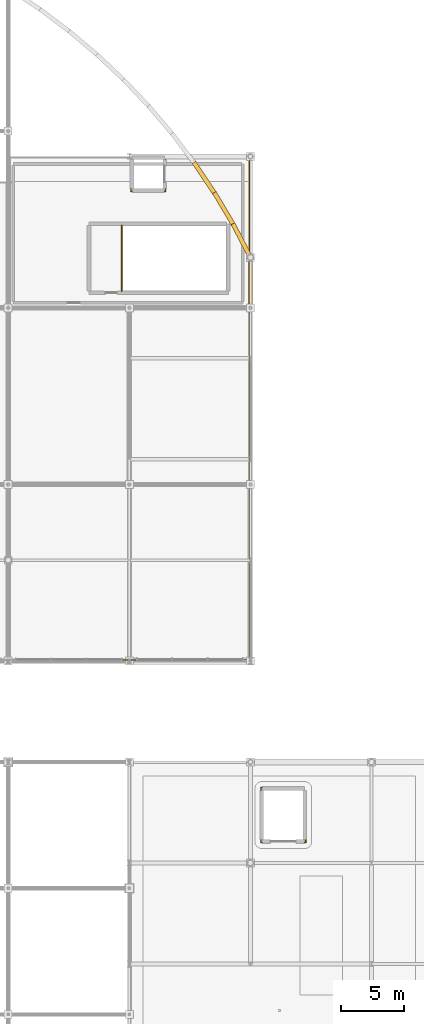
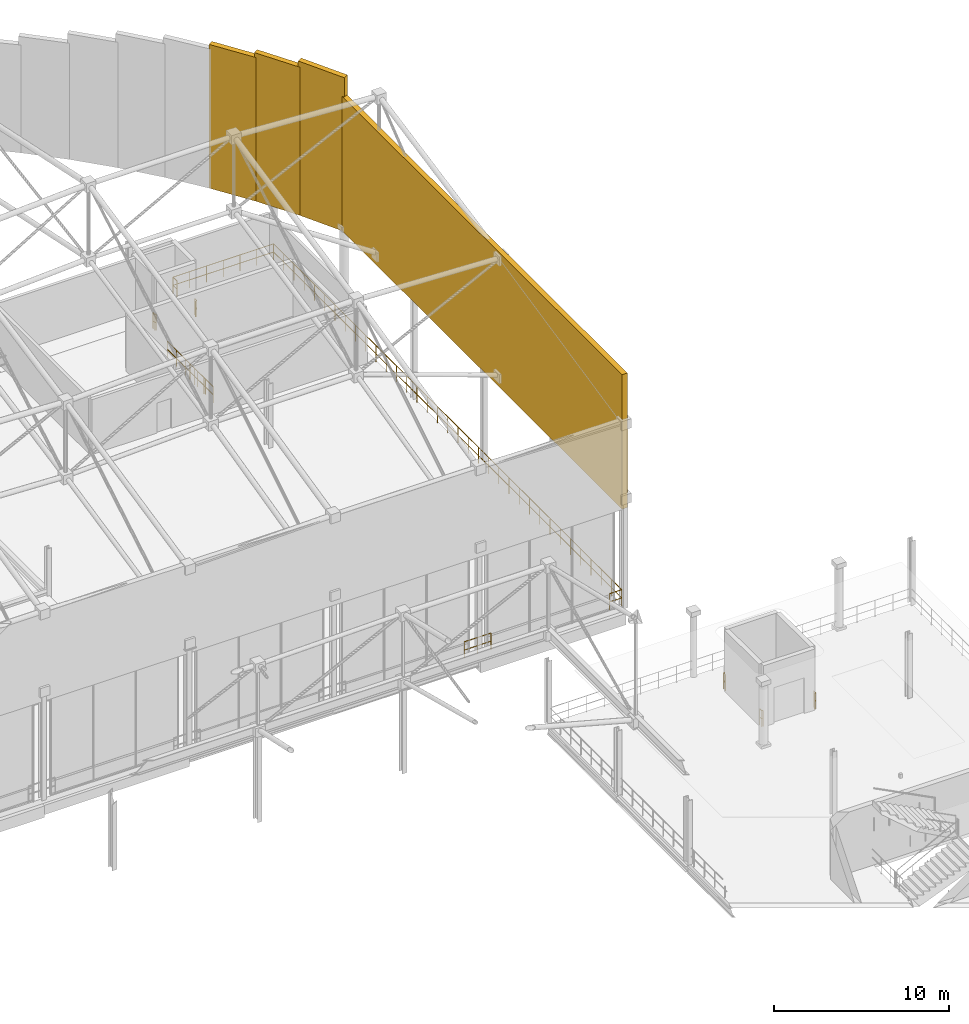
# One storey, part 190 of 193: 9 railings, 4 coverings.
"""IFC4 building model written with IfcOpenShell, lengths in metres."""

import ifcopenshell
import ifcopenshell.guid

model = None  # the IFC model being written
_history = None  # IfcOwnerHistory: only IFC2X3 demands one
_inside = {}  # id of a spatial element -> (the spatial element, [elements in it])
_under = {}  # id of a project, library or spatial element -> (it, [spatial elements below it])
_declared = {}  # id of a project -> (the project, [libraries it declares])
_typed = {}  # id of a type object -> (the type object, [elements of that type])
_made_of = {}  # id of a material, layer set ... -> (it, [elements and type objects made of it])


def new_model(schema):
    """Start an empty IFC model of exactly this schema.

    Asked for "IFC4X3", IfcOpenShell would pick the latest addendum, in which some entities
    have other attributes; the version numbers below select the first issue.
    IFC2X3 requires an IfcOwnerHistory on every rooted entity: one is made here for all.
    """
    global model, _history
    if schema == "IFC4X3":
        model = ifcopenshell.file(schema_version=(4, 3, 0, 0))
    else:
        model = ifcopenshell.file(schema=schema)
    _inside.clear()
    _under.clear()
    _declared.clear()
    _typed.clear()
    _made_of.clear()
    _history = None
    if model.schema == "IFC2X3":
        org = make("IfcOrganization", Name="unknown")
        user = make(
            "IfcPersonAndOrganization",
            ThePerson=make("IfcPerson", FamilyName="unknown"),
            TheOrganization=org,
        )
        app = make(
            "IfcApplication",
            ApplicationDeveloper=org,
            Version="unknown",
            ApplicationFullName="unknown",
            ApplicationIdentifier="unknown",
        )
        _history = make(
            "IfcOwnerHistory",
            OwningUser=user,
            OwningApplication=app,
            ChangeAction="ADDED",
            CreationDate=0,
        )
    return model


def make(cls, **values):
    """One entity of the class cls with the attributes given. An attribute that is None is left unset."""
    return model.create_entity(
        cls, **{name: value for name, value in values.items() if value is not None}
    )


def rooted(cls, **values):
    """An entity with a GlobalId (a new one), such as an element, a storey or a relation."""
    return make(cls, GlobalId=ifcopenshell.guid.new(), OwnerHistory=_history, **values)


def si_unit(unit_type, name, prefix=None):
    """IfcSIUnit, for example si_unit("LENGTHUNIT", "METRE", prefix="MILLI")."""
    return make("IfcSIUnit", UnitType=unit_type, Prefix=prefix, Name=name)


def assignment(units):
    """IfcUnitAssignment: the units of a project."""
    return None if units is None else make("IfcUnitAssignment", Units=units)


def point(xyz):
    """IfcCartesianPoint."""
    return None if xyz is None else make("IfcCartesianPoint", Coordinates=xyz)


def direction(xyz):
    """IfcDirection."""
    return None if xyz is None else make("IfcDirection", DirectionRatios=xyz)


def frame(location, z_axis=None, x_axis=None):
    """IfcAxis2Placement3D, a coordinate frame: its origin and axes. An axis left out is left unset."""
    return make(
        "IfcAxis2Placement3D",
        Location=point(location),
        Axis=direction(z_axis),
        RefDirection=direction(x_axis),
    )


def frame_2d(location, x_axis=None):
    """IfcAxis2Placement2D, a coordinate frame in the plane: its origin and x axis."""
    return make(
        "IfcAxis2Placement2D", Location=point(location), RefDirection=direction(x_axis)
    )


def origin():
    """The frame at (0, 0, 0) with its axes left unset."""
    return frame((0.0, 0.0, 0.0))


def origin_2d():
    """The frame at (0, 0) in the plane with its x axis left unset."""
    return frame_2d((0.0, 0.0))


def place(relative_to, where):
    """IfcLocalPlacement: puts the frame where relative to a parent placement (None: the world)."""
    return make(
        "IfcLocalPlacement", PlacementRelTo=relative_to, RelativePlacement=where
    )


def context(
    kind, dimensions, precision=None, world=None, true_north=None, identifier=None
):
    """IfcGeometricRepresentationContext, for example the 3D "Model" context."""
    return make(
        "IfcGeometricRepresentationContext",
        ContextIdentifier=identifier,
        ContextType=kind,
        CoordinateSpaceDimension=dimensions,
        Precision=precision,
        WorldCoordinateSystem=world,
        TrueNorth=true_north,
    )


def subcontext(parent, identifier, kind, view, scale=None):
    """IfcGeometricRepresentationSubContext, for example "Body" below "Model"."""
    return make(
        "IfcGeometricRepresentationSubContext",
        ContextIdentifier=identifier,
        ContextType=kind,
        ParentContext=parent,
        TargetScale=scale,
        TargetView=view,
    )


def project(units=None, contexts=None):
    """IfcProject with its units and contexts."""
    return rooted(
        "IfcProject",
        Name="project",
        RepresentationContexts=contexts,
        UnitsInContext=assignment(units),
    )


def spatial(cls, under=None, at=None, **own):
    """A site, building, storey or space (cls), placed at a placement, below another one or the project."""
    s = rooted(cls, ObjectPlacement=at, **own)
    if under is not None:
        _under.setdefault(under.id(), (under, []))[1].append(s)
    return s


def profile(cls, at=None, kind="AREA", **sizes):
    """A parametric profile (cls). Its sizes go by their IFC names, for example OverallWidth=200.0."""
    return make(cls, ProfileType=kind, Position=at, **sizes)


def rectangle(**sizes):
    """IfcRectangleProfileDef."""
    return profile("IfcRectangleProfileDef", **sizes)


def circle(**sizes):
    """IfcCircleProfileDef."""
    return profile("IfcCircleProfileDef", **sizes)


def extrude(swept, where, along, depth):
    """IfcExtrudedAreaSolid: the profile swept, set in the frame where, extruded along a direction by depth."""
    return make(
        "IfcExtrudedAreaSolid",
        SweptArea=swept,
        Position=where,
        ExtrudedDirection=direction(along),
        Depth=depth,
    )


def shape(context_of_items, identifier, shape_type, items):
    """IfcShapeRepresentation: the items that make up one representation, for example the "Body"."""
    return make(
        "IfcShapeRepresentation",
        ContextOfItems=context_of_items,
        RepresentationIdentifier=identifier,
        RepresentationType=shape_type,
        Items=items,
    )


def material(Name=None, Category=None):
    """IfcMaterial."""
    return make("IfcMaterial", Name=Name, Category=Category)


def layer(
    of_material, thickness, ventilated=None, Name=None, Category=None, Priority=None
):
    """IfcMaterialLayer: one layer of a wall or slab, of a material (None: an air gap)."""
    return make(
        "IfcMaterialLayer",
        Material=of_material,
        LayerThickness=thickness,
        IsVentilated=ventilated,
        Name=Name,
        Category=Category,
        Priority=Priority,
    )


def layer_set(layers, Name=None):
    """IfcMaterialLayerSet."""
    return make("IfcMaterialLayerSet", MaterialLayers=layers, LayerSetName=Name)


def made_of(thing, what):
    """Note that an element or type object is made of a material, layer set ...; save() writes the relation."""
    if what is not None:
        _made_of.setdefault(what.id(), (what, []))[1].append(thing)
    return thing


def type_object(cls, material=None, **own):
    """A type object (cls), such as IfcWallType, which elements share."""
    return made_of(rooted(cls, **own), material)


def element(
    cls,
    number,
    at=None,
    inside=None,
    cuts=None,
    type_object=None,
    material=None,
    context=None,
    identifier="Body",
    shape_type=None,
    held_by="IfcProductDefinitionShape",
    body=None,
    shapes=None,
    **own,
):
    """One element of the class cls, such as IfcWall. Its Tag is "e" and its number.

    at: its placement. inside: the storey or other place that contains it. cuts: it is an
    opening in that element (IfcRelVoidsElement). A single representation is given by context,
    identifier, shape_type and body (its items); several are given by shapes. held_by: the class
    of the entity that holds the representations. save() writes the other relations.
    """
    e = rooted(cls, Tag="e%d" % number, ObjectPlacement=at, **own)
    if body is not None:
        shapes = [shape(context, identifier, shape_type, body)]
    if shapes is not None:
        e.Representation = make(held_by, Representations=shapes)
    if inside is not None:
        _inside.setdefault(inside.id(), (inside, []))[1].append(e)
    if cuts is not None:
        rooted(
            "IfcRelVoidsElement", RelatingBuildingElement=cuts, RelatedOpeningElement=e
        )
    if type_object is not None:
        _typed.setdefault(type_object.id(), (type_object, []))[1].append(e)
    return made_of(e, material)


def aggregate(whole, parts):
    """IfcRelAggregates: a whole, such as a stair, and the parts it consists of."""
    return rooted("IfcRelAggregates", RelatingObject=whole, RelatedObjects=parts)


def save(model, path):
    """Write the relations noted so far, then the file.

    IfcRelAggregates (storeys below a building ...), IfcRelContainedInSpatialStructure (elements
    in a storey), IfcRelDefinesByType, IfcRelAssociatesMaterial and IfcRelDeclares: one each for
    every whole, place, type object, material and project.
    """
    for whole, parts in _under.values():
        aggregate(whole, parts)
    for where, things in _inside.values():
        rooted(
            "IfcRelContainedInSpatialStructure",
            RelatedElements=things,
            RelatingStructure=where,
        )
    for kind, things in _typed.values():
        rooted("IfcRelDefinesByType", RelatedObjects=things, RelatingType=kind)
    for what, things in _made_of.values():
        rooted("IfcRelAssociatesMaterial", RelatedObjects=things, RelatingMaterial=what)
    for by, libraries in _declared.values():
        rooted("IfcRelDeclares", RelatingContext=by, RelatedDefinitions=libraries)
    model.write(path)


model = new_model("IFC4")

# Units and contexts
model_context = context("Model", 3, precision=1e-05, world=origin(), true_north=direction((0.0, 1.0)))
body_context = subcontext(model_context, "Body", "Model", "MODEL_VIEW")
ifc_project = project(units=[si_unit("LENGTHUNIT", "METRE"), si_unit("AREAUNIT", "SQUARE_METRE"), si_unit("VOLUMEUNIT", "CUBIC_METRE"), si_unit("PLANEANGLEUNIT", "RADIAN"), si_unit("MASSUNIT", "GRAM", prefix="KILO")], contexts=[model_context])

# Site, building, storey
site_placement = place(None, origin())
site = spatial("IfcSite", under=ifc_project, at=site_placement, CompositionType="ELEMENT")
building_placement = place(site_placement, origin())
building = spatial("IfcBuilding", under=site, at=building_placement, Name="Danafjord Basin Convention Centre", CompositionType="ELEMENT")
storey_placement = place(building_placement, frame((0.0, 0.0, 11.39990234375)))
storey = spatial("IfcBuildingStorey", under=building, at=storey_placement, Name="L02", CompositionType="ELEMENT", Elevation=11.39990234375)

# Coverings
ifc_material_1 = material(Name="Architectural white precast concrete C45/55", Category="concrete")
ifc_layer = layer(ifc_material_1, 0.320068359375)
ifc_layer_set = layer_set([ifc_layer], Name="Architectural white precast concrete C45/55")
covering_type = type_object("IfcCoveringType", Name="COV-BAND-HORIZ", PredefinedType="CLADDING", material=ifc_layer_set)
covering_1_placement = place(storey_placement, frame((201.60009765625, 104.0, 6.900146484375), z_axis=(0.0, 0.0, 1.0), x_axis=(0.0, 1.0, 0.0)))
element("IfcCovering", 1, at=covering_1_placement, inside=storey, type_object=covering_type, Name="Plenary hall upper wave-eave acoustic enclosure panel 2", PredefinedType="CLADDING", context=body_context, shape_type="SweptSolid", body=[
    extrude(rectangle(XDim=32.25, YDim=0.340087890625, at=origin_2d()), origin(), (0.0, 0.0, 1.0), 9.39404296875),
])
covering_2_placement = place(storey_placement, frame((200.93408203125, 121.277099609375, 6.900390625), z_axis=(0.0, 0.0, 1.0), x_axis=(-0.462366696346, 0.886688805676, 0.0)))
element("IfcCovering", 2, at=covering_2_placement, inside=storey, type_object=covering_type, Name="Plenary hall upper wave-eave acoustic enclosure panel 3", PredefinedType="CLADDING", context=body_context, shape_type="SweptSolid", body=[
    extrude(rectangle(XDim=3.131103515625, YDim=0.340087890625, at=origin_2d()), origin(), (0.0, 0.0, 1.0), 10.743896484375),
])
covering_3_placement = place(storey_placement, frame((199.5322265625, 123.792724609375, 6.900146484375), z_axis=(0.0, 0.0, 1.0), x_axis=(-0.510759293127, 0.859723760567, 0.0)))
element("IfcCovering", 3, at=covering_3_placement, inside=storey, type_object=covering_type, Name="Plenary hall upper wave-eave acoustic enclosure panel 4", PredefinedType="CLADDING", context=body_context, shape_type="SweptSolid", body=[
    extrude(rectangle(XDim=3.131103515625, YDim=0.340087890625, at=origin_2d()), origin(), (0.0, 0.0, 1.0), 10.34912109375),
])
covering_4_placement = place(storey_placement, frame((197.993408203125, 126.226806640625, 6.900146484375), z_axis=(0.0, 0.0, 1.0), x_axis=(-0.557572606665, 0.830128175824, 0.0)))
element("IfcCovering", 4, at=covering_4_placement, inside=storey, type_object=covering_type, Name="Plenary hall upper wave-eave acoustic enclosure panel 5", PredefinedType="CLADDING", context=body_context, shape_type="SweptSolid", body=[
    extrude(rectangle(XDim=3.131103515625, YDim=0.340087890625, at=origin_2d()), origin(), (0.0, 0.0, 1.0), 10.0400390625),
])

# Railings
ifc_material_2 = material(Name="Laminated structural glass and stainless steel", Category="steel")
railing_type_1 = type_object("IfcRailingType", Name="RL-BAL-GLS", PredefinedType="BALUSTRADE", material=ifc_material_2)
railing_1_placement = place(storey_placement, frame((202.5, 77.97998046875, 0.0)))
element("IfcRailing", 5, at=railing_1_placement, inside=storey, type_object=railing_type_1, Name="L02 safety guard balustrade 140", PredefinedType="BALUSTRADE", context=body_context, shape_type="SweptSolid", body=[
    extrude(circle(Radius=0.02392578125, at=origin_2d()), frame((0.0, 0.0, 1.1259765625), z_axis=(-1.0, 0.0, 0.0), x_axis=(0.0, -1.0, 0.0)), (0.0, 0.0, 1.0), 0.080078125),
    extrude(circle(Radius=0.02392578125, at=origin_2d()), frame((0.0, 0.0, 0.55078125), z_axis=(-1.0, 0.0, 0.0), x_axis=(0.0, -1.0, 0.0)), (0.0, 0.0, 1.0), 0.080078125),
    extrude(circle(Radius=0.02392578125, at=origin_2d()), frame((-0.080078125, 0.0, 1.1259765625), z_axis=(0.0, -1.0, 0.0), x_axis=(1.0, 0.0, 0.0)), (0.0, 0.0, 1.0), 0.215087890625),
    extrude(circle(Radius=0.02392578125, at=origin_2d()), frame((-0.080078125, 0.0, 0.55078125), z_axis=(0.0, -1.0, 0.0), x_axis=(1.0, 0.0, 0.0)), (0.0, 0.0, 1.0), 0.215087890625),
    extrude(circle(Radius=0.02099609375, at=origin_2d()), origin(), (0.0, 0.0, 1.0), 1.099853515625),
    extrude(circle(Radius=0.02099609375, at=origin_2d()), frame((-0.080078125, 0.0, 0.0)), (0.0, 0.0, 1.0), 1.099853515625),
    extrude(circle(Radius=0.02099609375, at=origin_2d()), frame((-0.080078125, -0.215087890625, 0.0)), (0.0, 0.0, 1.0), 1.099853515625),
])
railing_2_placement = place(storey_placement, frame((205.89990234375, 73.6201171875, 0.0)))
element("IfcRailing", 6, at=railing_2_placement, inside=storey, type_object=railing_type_1, Name="L02 safety guard balustrade 142", PredefinedType="BALUSTRADE", context=body_context, shape_type="SweptSolid", body=[
    extrude(circle(Radius=0.02392578125, at=origin_2d()), frame((0.0, 0.0, 1.1259765625), z_axis=(1.0, 0.0, 0.0), x_axis=(0.0, 1.0, 0.0)), (0.0, 0.0, 1.0), 0.080078125),
    extrude(circle(Radius=0.02392578125, at=origin_2d()), frame((0.0, 0.0, 0.55078125), z_axis=(1.0, 0.0, 0.0), x_axis=(0.0, 1.0, 0.0)), (0.0, 0.0, 1.0), 0.080078125),
    extrude(circle(Radius=0.02392578125, at=origin_2d()), frame((0.080078125, 0.0, 1.1259765625), z_axis=(0.0, 1.0, 0.0), x_axis=(-1.0, 0.0, 0.0)), (0.0, 0.0, 1.0), 0.21484375),
    extrude(circle(Radius=0.02392578125, at=origin_2d()), frame((0.080078125, 0.0, 0.55078125), z_axis=(0.0, 1.0, 0.0), x_axis=(-1.0, 0.0, 0.0)), (0.0, 0.0, 1.0), 0.21484375),
    extrude(circle(Radius=0.02099609375, at=origin_2d()), origin(), (0.0, 0.0, 1.0), 1.099853515625),
    extrude(circle(Radius=0.02099609375, at=origin_2d()), frame((0.080078125, 0.0, 0.0)), (0.0, 0.0, 1.0), 1.099853515625),
    extrude(circle(Radius=0.02099609375, at=origin_2d()), frame((0.080078125, 0.21484375, 0.0)), (0.0, 0.0, 1.0), 1.099853515625),
])
railing_3_placement = place(storey_placement, frame((194.800048828125, 125.219970703125, 0.0)))
element("IfcRailing", 7, at=railing_3_placement, inside=storey, type_object=railing_type_1, Name="L02 safety guard balustrade 152", PredefinedType="BALUSTRADE", context=body_context, shape_type="SweptSolid", body=[
    extrude(circle(Radius=0.02392578125, at=origin_2d()), frame((0.0, 0.0, 1.1259765625), z_axis=(1.0, 0.0, 0.0), x_axis=(0.0, 1.0, 0.0)), (0.0, 0.0, 1.0), 0.079833984375),
    extrude(circle(Radius=0.02392578125, at=origin_2d()), frame((0.0, 0.0, 0.55078125), z_axis=(1.0, 0.0, 0.0), x_axis=(0.0, 1.0, 0.0)), (0.0, 0.0, 1.0), 0.079833984375),
    extrude(circle(Radius=0.02392578125, at=origin_2d()), frame((0.079833984375, 0.0, 1.1259765625), z_axis=(0.0, 1.0, 0.0), x_axis=(-1.0, 0.0, 0.0)), (0.0, 0.0, 1.0), 0.215087890625),
    extrude(circle(Radius=0.02392578125, at=origin_2d()), frame((0.079833984375, 0.0, 0.55078125), z_axis=(0.0, 1.0, 0.0), x_axis=(-1.0, 0.0, 0.0)), (0.0, 0.0, 1.0), 0.215087890625),
    extrude(circle(Radius=0.02099609375, at=origin_2d()), origin(), (0.0, 0.0, 1.0), 1.099853515625),
    extrude(circle(Radius=0.02099609375, at=origin_2d()), frame((0.079833984375, 0.0, 0.0)), (0.0, 0.0, 1.0), 1.099853515625),
    extrude(circle(Radius=0.02099609375, at=origin_2d()), frame((0.079833984375, 0.215087890625, 0.0)), (0.0, 0.0, 1.0), 1.099853515625),
])
railing_4_placement = place(storey_placement, frame((192.8798828125, 88.080078125, 0.0)))
element("IfcRailing", 8, at=railing_4_placement, inside=storey, type_object=railing_type_1, Name="L02 safety guard balustrade 154", PredefinedType="BALUSTRADE", context=body_context, shape_type="SweptSolid", body=[
    extrude(circle(Radius=0.02392578125, at=origin_2d()), frame((0.0, 0.0, 1.1259765625), z_axis=(-1.0, 0.0, 0.0), x_axis=(0.0, -1.0, 0.0)), (0.0, 0.0, 1.0), 1.759765625),
    extrude(circle(Radius=0.02392578125, at=origin_2d()), frame((0.0, 0.0, 0.55078125), z_axis=(-1.0, 0.0, 0.0), x_axis=(0.0, -1.0, 0.0)), (0.0, 0.0, 1.0), 1.759765625),
    extrude(circle(Radius=0.02099609375, at=origin_2d()), origin(), (0.0, 0.0, 1.0), 1.099853515625),
    extrude(circle(Radius=0.02099609375, at=origin_2d()), frame((-0.8798828125, 0.0, 0.0)), (0.0, 0.0, 1.0), 1.099853515625),
    extrude(circle(Radius=0.02099609375, at=origin_2d()), frame((-1.759765625, 0.0, 0.0)), (0.0, 0.0, 1.0), 1.099853515625),
])
ifc_material_3 = material(Name="Galvanised and powder-coated steel S355", Category="steel")
railing_type_2 = type_object("IfcRailingType", Name="RL-BAL-STL", PredefinedType="BALUSTRADE", material=ifc_material_3)
railing_5_placement = place(storey_placement, frame((202.419921875, 73.8349609375, 0.0)))
element("IfcRailing", 9, at=railing_5_placement, inside=storey, type_object=railing_type_2, Name="L02 safety guard balustrade 141", PredefinedType="BALUSTRADE", context=body_context, shape_type="SweptSolid", body=[
    extrude(circle(Radius=0.02392578125, at=origin_2d()), frame((0.0, 0.0, 1.1259765625), z_axis=(0.0, -1.0, 0.0), x_axis=(1.0, 0.0, 0.0)), (0.0, 0.0, 1.0), 0.21484375),
    extrude(circle(Radius=0.02392578125, at=origin_2d()), frame((0.0, 0.0, 0.55078125), z_axis=(0.0, -1.0, 0.0), x_axis=(1.0, 0.0, 0.0)), (0.0, 0.0, 1.0), 0.21484375),
    extrude(circle(Radius=0.02392578125, at=origin_2d()), frame((0.0, -0.21484375, 1.1259765625), z_axis=(1.0, 0.0, 0.0), x_axis=(0.0, 1.0, 0.0)), (0.0, 0.0, 1.0), 0.080078125),
    extrude(circle(Radius=0.02392578125, at=origin_2d()), frame((0.0, -0.21484375, 0.55078125), z_axis=(1.0, 0.0, 0.0), x_axis=(0.0, 1.0, 0.0)), (0.0, 0.0, 1.0), 0.080078125),
    extrude(circle(Radius=0.02099609375, at=origin_2d()), origin(), (0.0, 0.0, 1.0), 1.099853515625),
    extrude(circle(Radius=0.02099609375, at=origin_2d()), frame((0.0, -0.21484375, 0.0)), (0.0, 0.0, 1.0), 1.099853515625),
    extrude(circle(Radius=0.02099609375, at=origin_2d()), frame((0.080078125, -0.21484375, 0.0)), (0.0, 0.0, 1.0), 1.099853515625),
])
railing_6_placement = place(storey_placement, frame((192.1201171875, 125.43505859375, 0.0)))
element("IfcRailing", 10, at=railing_6_placement, inside=storey, type_object=railing_type_2, Name="L02 safety guard balustrade 151", PredefinedType="BALUSTRADE", context=body_context, shape_type="SweptSolid", body=[
    extrude(circle(Radius=0.02392578125, at=origin_2d()), frame((0.0, 0.0, 1.1259765625), z_axis=(0.0, -1.0, 0.0), x_axis=(1.0, 0.0, 0.0)), (0.0, 0.0, 1.0), 0.215087890625),
    extrude(circle(Radius=0.02392578125, at=origin_2d()), frame((0.0, 0.0, 0.55078125), z_axis=(0.0, -1.0, 0.0), x_axis=(1.0, 0.0, 0.0)), (0.0, 0.0, 1.0), 0.215087890625),
    extrude(circle(Radius=0.02392578125, at=origin_2d()), frame((0.0, -0.215087890625, 1.1259765625), z_axis=(1.0, 0.0, 0.0), x_axis=(0.0, 1.0, 0.0)), (0.0, 0.0, 1.0), 0.079833984375),
    extrude(circle(Radius=0.02392578125, at=origin_2d()), frame((0.0, -0.215087890625, 0.55078125), z_axis=(1.0, 0.0, 0.0), x_axis=(0.0, 1.0, 0.0)), (0.0, 0.0, 1.0), 0.079833984375),
    extrude(circle(Radius=0.02099609375, at=origin_2d()), origin(), (0.0, 0.0, 1.0), 1.099853515625),
    extrude(circle(Radius=0.02099609375, at=origin_2d()), frame((0.0, -0.215087890625, 0.0)), (0.0, 0.0, 1.0), 1.099853515625),
    extrude(circle(Radius=0.02099609375, at=origin_2d()), frame((0.079833984375, -0.215087890625, 0.0)), (0.0, 0.0, 1.0), 1.099853515625),
])
railing_7_placement = place(storey_placement, frame((194.8798828125, 127.485107421875, 0.0)))
element("IfcRailing", 11, at=railing_7_placement, inside=storey, type_object=railing_type_2, Name="L02 safety guard balustrade 153", PredefinedType="BALUSTRADE", context=body_context, shape_type="SweptSolid", body=[
    extrude(circle(Radius=0.02392578125, at=origin_2d()), frame((0.0, 0.0, 1.1259765625), z_axis=(0.0, 1.0, 0.0), x_axis=(-1.0, 0.0, 0.0)), (0.0, 0.0, 1.0), 0.434814453125),
    extrude(circle(Radius=0.02392578125, at=origin_2d()), frame((0.0, 0.0, 0.55078125), z_axis=(0.0, 1.0, 0.0), x_axis=(-1.0, 0.0, 0.0)), (0.0, 0.0, 1.0), 0.434814453125),
    extrude(circle(Radius=0.02392578125, at=origin_2d()), frame((0.0, 0.434814453125, 1.1259765625), z_axis=(1.0, 0.0, 0.0), x_axis=(0.0, 1.0, 0.0)), (0.0, 0.0, 1.0), 6.64013671875),
    extrude(circle(Radius=0.02392578125, at=origin_2d()), frame((0.0, 0.434814453125, 0.55078125), z_axis=(1.0, 0.0, 0.0), x_axis=(0.0, 1.0, 0.0)), (0.0, 0.0, 1.0), 6.64013671875),
    extrude(circle(Radius=0.02392578125, at=origin_2d()), frame((6.64013671875, 0.434814453125, 1.1259765625), z_axis=(0.0, -1.0, 0.0), x_axis=(1.0, 0.0, 0.0)), (0.0, 0.0, 1.0), 39.83984375),
    extrude(circle(Radius=0.02392578125, at=origin_2d()), frame((6.64013671875, 0.434814453125, 0.55078125), z_axis=(0.0, -1.0, 0.0), x_axis=(1.0, 0.0, 0.0)), (0.0, 0.0, 1.0), 39.83984375),
    extrude(circle(Radius=0.02392578125, at=origin_2d()), frame((6.64013671875, -39.405029296875, 1.1259765625), z_axis=(-1.0, 0.0, 0.0), x_axis=(0.0, -1.0, 0.0)), (0.0, 0.0, 1.0), 0.800048828125),
    extrude(circle(Radius=0.02392578125, at=origin_2d()), frame((6.64013671875, -39.405029296875, 0.55078125), z_axis=(-1.0, 0.0, 0.0), x_axis=(0.0, -1.0, 0.0)), (0.0, 0.0, 1.0), 0.800048828125),
    extrude(circle(Radius=0.02099609375, at=origin_2d()), origin(), (0.0, 0.0, 1.0), 1.099853515625),
    extrude(circle(Radius=0.02099609375, at=origin_2d()), frame((0.0, 0.434814453125, 0.0)), (0.0, 0.0, 1.0), 1.099853515625),
    extrude(circle(Radius=0.02099609375, at=origin_2d()), frame((1.106689453125, 0.434814453125, 0.0)), (0.0, 0.0, 1.0), 1.099853515625),
    extrude(circle(Radius=0.02099609375, at=origin_2d()), frame((2.21337890625, 0.434814453125, 0.0)), (0.0, 0.0, 1.0), 1.099853515625),
    extrude(circle(Radius=0.02099609375, at=origin_2d()), frame((3.320068359375, 0.434814453125, 0.0)), (0.0, 0.0, 1.0), 1.099853515625),
    extrude(circle(Radius=0.02099609375, at=origin_2d()), frame((4.4267578125, 0.434814453125, 0.0)), (0.0, 0.0, 1.0), 1.099853515625),
    extrude(circle(Radius=0.02099609375, at=origin_2d()), frame((5.533447265625, 0.434814453125, 0.0)), (0.0, 0.0, 1.0), 1.099853515625),
    extrude(circle(Radius=0.02099609375, at=origin_2d()), frame((6.64013671875, 0.434814453125, 0.0)), (0.0, 0.0, 1.0), 1.099853515625),
    extrude(circle(Radius=0.02099609375, at=origin_2d()), frame((6.64013671875, -0.737060546875, 0.0)), (0.0, 0.0, 1.0), 1.099853515625),
    extrude(circle(Radius=0.02099609375, at=origin_2d()), frame((6.64013671875, -1.90869140625, 0.0)), (0.0, 0.0, 1.0), 1.099853515625),
    extrude(circle(Radius=0.02099609375, at=origin_2d()), frame((6.64013671875, -3.08056640625, 0.0)), (0.0, 0.0, 1.0), 1.099853515625),
    extrude(circle(Radius=0.02099609375, at=origin_2d()), frame((6.64013671875, -4.252197265625, 0.0)), (0.0, 0.0, 1.0), 1.099853515625),
    extrude(circle(Radius=0.02099609375, at=origin_2d()), frame((6.64013671875, -5.424072265625, 0.0)), (0.0, 0.0, 1.0), 1.099853515625),
    extrude(circle(Radius=0.02099609375, at=origin_2d()), frame((6.64013671875, -6.595703125, 0.0)), (0.0, 0.0, 1.0), 1.099853515625),
    extrude(circle(Radius=0.02099609375, at=origin_2d()), frame((6.64013671875, -7.767578125, 0.0)), (0.0, 0.0, 1.0), 1.099853515625),
    extrude(circle(Radius=0.02099609375, at=origin_2d()), frame((6.64013671875, -8.939208984375, 0.0)), (0.0, 0.0, 1.0), 1.099853515625),
    extrude(circle(Radius=0.02099609375, at=origin_2d()), frame((6.64013671875, -10.111083984375, 0.0)), (0.0, 0.0, 1.0), 1.099853515625),
    extrude(circle(Radius=0.02099609375, at=origin_2d()), frame((6.64013671875, -11.28271484375, 0.0)), (0.0, 0.0, 1.0), 1.099853515625),
    extrude(circle(Radius=0.02099609375, at=origin_2d()), frame((6.64013671875, -12.45458984375, 0.0)), (0.0, 0.0, 1.0), 1.099853515625),
    extrude(circle(Radius=0.02099609375, at=origin_2d()), frame((6.64013671875, -13.626220703125, 0.0)), (0.0, 0.0, 1.0), 1.099853515625),
    extrude(circle(Radius=0.02099609375, at=origin_2d()), frame((6.64013671875, -14.798095703125, 0.0)), (0.0, 0.0, 1.0), 1.099853515625),
    extrude(circle(Radius=0.02099609375, at=origin_2d()), frame((6.64013671875, -15.9697265625, 0.0)), (0.0, 0.0, 1.0), 1.099853515625),
    extrude(circle(Radius=0.02099609375, at=origin_2d()), frame((6.64013671875, -17.1416015625, 0.0)), (0.0, 0.0, 1.0), 1.099853515625),
    extrude(circle(Radius=0.02099609375, at=origin_2d()), frame((6.64013671875, -18.313232421875, 0.0)), (0.0, 0.0, 1.0), 1.099853515625),
    extrude(circle(Radius=0.02099609375, at=origin_2d()), frame((6.64013671875, -19.485107421875, 0.0)), (0.0, 0.0, 1.0), 1.099853515625),
    extrude(circle(Radius=0.02099609375, at=origin_2d()), frame((6.64013671875, -20.656982421875, 0.0)), (0.0, 0.0, 1.0), 1.099853515625),
    extrude(circle(Radius=0.02099609375, at=origin_2d()), frame((6.64013671875, -21.82861328125, 0.0)), (0.0, 0.0, 1.0), 1.099853515625),
    extrude(circle(Radius=0.02099609375, at=origin_2d()), frame((6.64013671875, -23.00048828125, 0.0)), (0.0, 0.0, 1.0), 1.099853515625),
    extrude(circle(Radius=0.02099609375, at=origin_2d()), frame((6.64013671875, -24.172119140625, 0.0)), (0.0, 0.0, 1.0), 1.099853515625),
    extrude(circle(Radius=0.02099609375, at=origin_2d()), frame((6.64013671875, -25.343994140625, 0.0)), (0.0, 0.0, 1.0), 1.099853515625),
    extrude(circle(Radius=0.02099609375, at=origin_2d()), frame((6.64013671875, -26.515625, 0.0)), (0.0, 0.0, 1.0), 1.099853515625),
    extrude(circle(Radius=0.02099609375, at=origin_2d()), frame((6.64013671875, -27.6875, 0.0)), (0.0, 0.0, 1.0), 1.099853515625),
    extrude(circle(Radius=0.02099609375, at=origin_2d()), frame((6.64013671875, -28.859130859375, 0.0)), (0.0, 0.0, 1.0), 1.099853515625),
    extrude(circle(Radius=0.02099609375, at=origin_2d()), frame((6.64013671875, -30.031005859375, 0.0)), (0.0, 0.0, 1.0), 1.099853515625),
    extrude(circle(Radius=0.02099609375, at=origin_2d()), frame((6.64013671875, -31.20263671875, 0.0)), (0.0, 0.0, 1.0), 1.099853515625),
    extrude(circle(Radius=0.02099609375, at=origin_2d()), frame((6.64013671875, -32.37451171875, 0.0)), (0.0, 0.0, 1.0), 1.099853515625),
    extrude(circle(Radius=0.02099609375, at=origin_2d()), frame((6.64013671875, -33.546142578125, 0.0)), (0.0, 0.0, 1.0), 1.099853515625),
    extrude(circle(Radius=0.02099609375, at=origin_2d()), frame((6.64013671875, -34.718017578125, 0.0)), (0.0, 0.0, 1.0), 1.099853515625),
    extrude(circle(Radius=0.02099609375, at=origin_2d()), frame((6.64013671875, -35.8896484375, 0.0)), (0.0, 0.0, 1.0), 1.099853515625),
    extrude(circle(Radius=0.02099609375, at=origin_2d()), frame((6.64013671875, -37.0615234375, 0.0)), (0.0, 0.0, 1.0), 1.099853515625),
    extrude(circle(Radius=0.02099609375, at=origin_2d()), frame((6.64013671875, -38.233154296875, 0.0)), (0.0, 0.0, 1.0), 1.099853515625),
    extrude(circle(Radius=0.02099609375, at=origin_2d()), frame((6.64013671875, -39.405029296875, 0.0)), (0.0, 0.0, 1.0), 1.099853515625),
    extrude(circle(Radius=0.02099609375, at=origin_2d()), frame((5.840087890625, -39.405029296875, 0.0)), (0.0, 0.0, 1.0), 1.099853515625),
])
railing_8_placement = place(storey_placement, frame((191.39990234375, 122.550048828125, 0.0)))
element("IfcRailing", 12, at=railing_8_placement, inside=storey, type_object=railing_type_2, Name="L02 safety guard balustrade 161", PredefinedType="BALUSTRADE", context=body_context, shape_type="SweptSolid", body=[
    extrude(circle(Radius=0.02392578125, at=origin_2d()), frame((0.0, 0.0, 1.1259765625), z_axis=(0.0, -1.0, 0.0), x_axis=(1.0, 0.0, 0.0)), (0.0, 0.0, 1.0), 5.239990234375),
    extrude(circle(Radius=0.02392578125, at=origin_2d()), frame((0.0, 0.0, 0.55078125), z_axis=(0.0, -1.0, 0.0), x_axis=(1.0, 0.0, 0.0)), (0.0, 0.0, 1.0), 5.239990234375),
    extrude(circle(Radius=0.02099609375, at=origin_2d()), origin(), (0.0, 0.0, 1.0), 1.099853515625),
    extrude(circle(Radius=0.02099609375, at=origin_2d()), frame((0.0, -1.048095703125, 0.0)), (0.0, 0.0, 1.0), 1.099853515625),
    extrude(circle(Radius=0.02099609375, at=origin_2d()), frame((0.0, -2.095947265625, 0.0)), (0.0, 0.0, 1.0), 1.099853515625),
    extrude(circle(Radius=0.02099609375, at=origin_2d()), frame((0.0, -3.14404296875, 0.0)), (0.0, 0.0, 1.0), 1.099853515625),
    extrude(circle(Radius=0.02099609375, at=origin_2d()), frame((0.0, -4.19189453125, 0.0)), (0.0, 0.0, 1.0), 1.099853515625),
    extrude(circle(Radius=0.02099609375, at=origin_2d()), frame((0.0, -5.239990234375, 0.0)), (0.0, 0.0, 1.0), 1.099853515625),
])
ifc_material_4 = material(Name="Galvanised steel S355", Category="steel")
railing_type_3 = type_object("IfcRailingType", Name="RL-GD-WELL", PredefinedType="BALUSTRADE", material=ifc_material_4)
railing_9_placement = place(storey_placement, frame((191.429931640625, 117.360107421875, 0.0)))
element("IfcRailing", 13, at=railing_9_placement, inside=storey, type_object=railing_type_3, Name="L02 ST-11 top well guard 1", PredefinedType="BALUSTRADE", context=body_context, shape_type="SweptSolid", body=[
    extrude(circle(Radius=0.02392578125, at=origin_2d()), frame((0.0, 0.0, 1.076171875), z_axis=(0.0, 1.0, 0.0), x_axis=(-1.0, 0.0, 0.0)), (0.0, 0.0, 1.0), 2.639892578125),
    extrude(circle(Radius=0.02392578125, at=origin_2d()), frame((0.0, 0.0, 0.52587890625), z_axis=(0.0, 1.0, 0.0), x_axis=(-1.0, 0.0, 0.0)), (0.0, 0.0, 1.0), 2.639892578125),
    extrude(circle(Radius=0.02099609375, at=origin_2d()), origin(), (0.0, 0.0, 1.0), 1.050048828125),
    extrude(circle(Radius=0.02099609375, at=origin_2d()), frame((0.0, 0.8798828125, 0.0)), (0.0, 0.0, 1.0), 1.050048828125),
    extrude(circle(Radius=0.02099609375, at=origin_2d()), frame((0.0, 1.760009765625, 0.0)), (0.0, 0.0, 1.0), 1.050048828125),
    extrude(circle(Radius=0.02099609375, at=origin_2d()), frame((0.0, 2.639892578125, 0.0)), (0.0, 0.0, 1.0), 1.050048828125),
])

save(model, "model.ifc")
